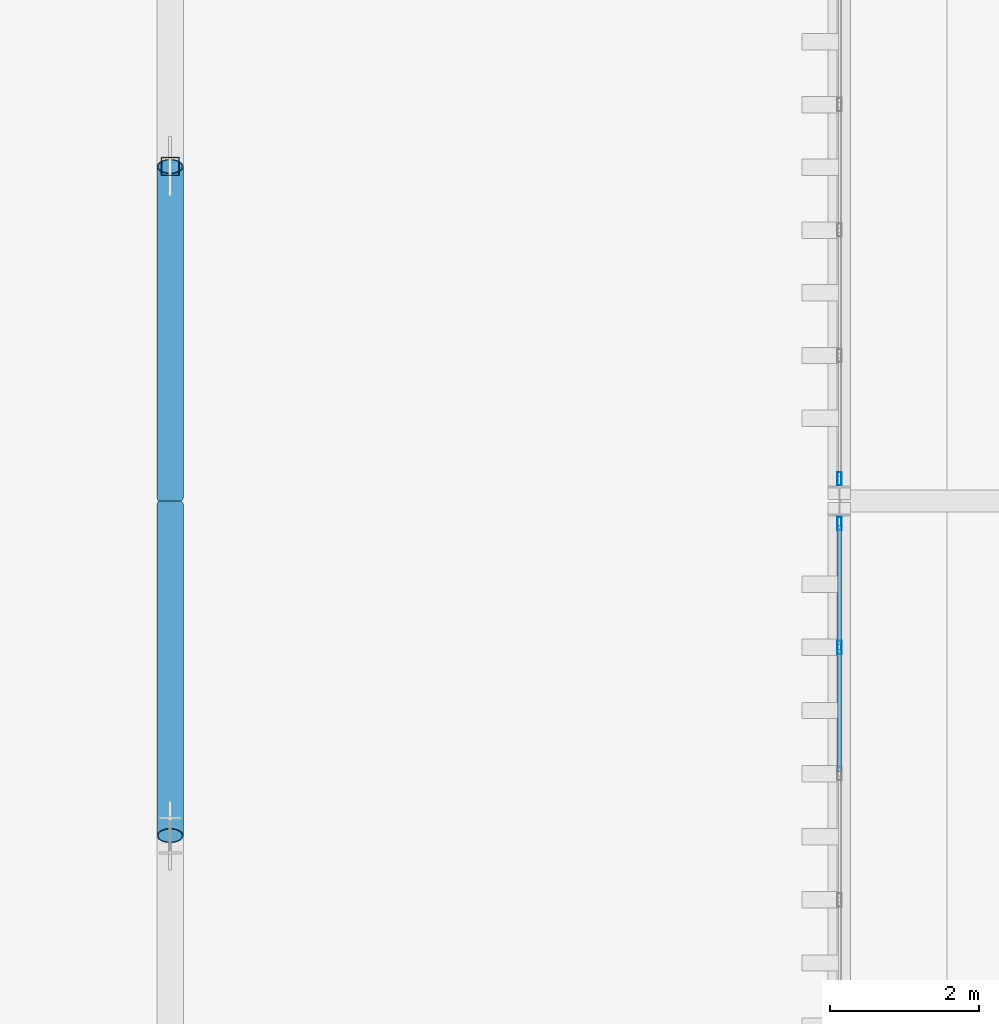
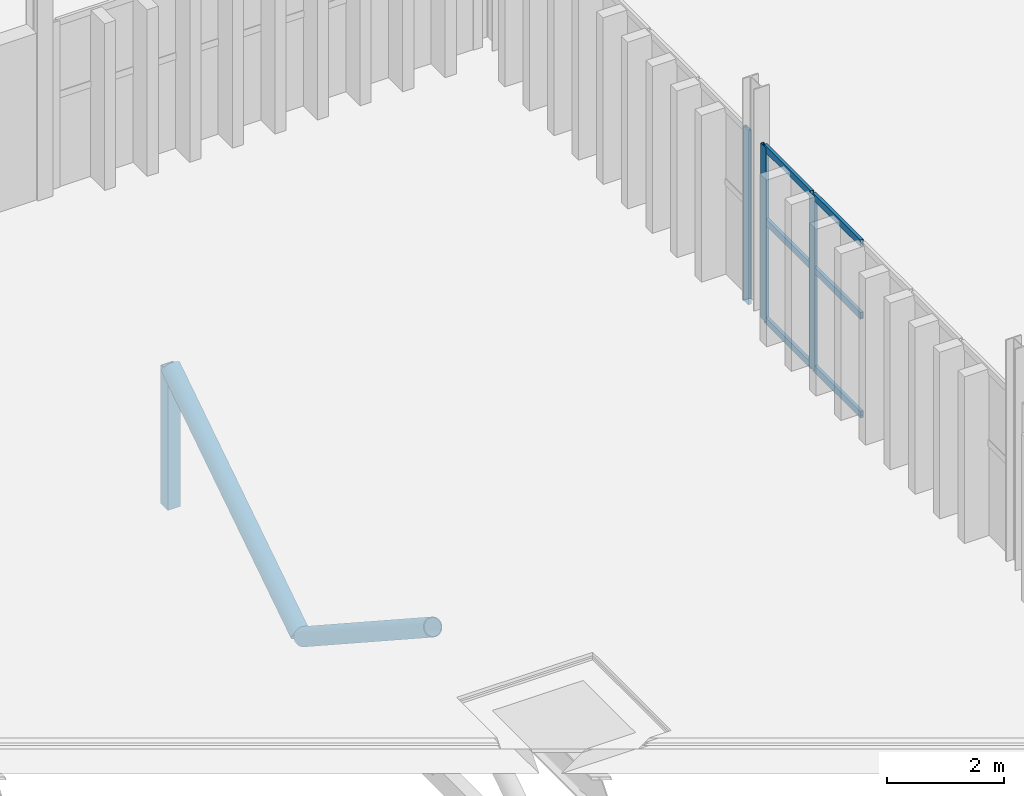
# One storey, part 110 of 196: 12 members, 2 elements without a shape of their own.
"""IFC4 building model written with IfcOpenShell, lengths in metres."""

from ifc_helpers import new_model, si_unit, direction, frame, origin, origin_2d, place, context, subcontext, project, spatial, hollow_rectangle, hollow_circle, extrude, material, layer, layer_set, material_profile, profile_set, type_object, element, aggregate, save


model = new_model("IFC4")

# Units and contexts
model_context = context("Model", 3, precision=1e-05, world=origin(), true_north=direction((0.0, 1.0)))
body_context = subcontext(model_context, "Body", "Model", "MODEL_VIEW")
ifc_project = project(units=[si_unit("LENGTHUNIT", "METRE"), si_unit("AREAUNIT", "SQUARE_METRE"), si_unit("VOLUMEUNIT", "CUBIC_METRE"), si_unit("PLANEANGLEUNIT", "RADIAN"), si_unit("MASSUNIT", "GRAM", prefix="KILO")], contexts=[model_context])

# Site, building, storey
site_placement = place(None, origin())
site = spatial("IfcSite", under=ifc_project, at=site_placement, CompositionType="ELEMENT")
building_placement = place(site_placement, origin())
building = spatial("IfcBuilding", under=site, at=building_placement, Name="Barlavento Convention Centre", CompositionType="ELEMENT")
storey_placement = place(building_placement, frame((0.0, 0.0, 18.0)))
storey = spatial("IfcBuildingStorey", under=building, at=storey_placement, Name="L03", CompositionType="ELEMENT", Elevation=18.0)

# Curtain wall, members
ifc_material_1 = material(Name="Powder-coated aluminium and Low-E glass", Category="aluminium")
ifc_layer = layer(ifc_material_1, 0.179931640625)
ifc_layer_set = layer_set([ifc_layer], Name="ARC-CW-CONF-L03")
curtain_wall_type = type_object("IfcCurtainWallType", Name="ARC-CW-CONF-L03", PredefinedType="NOTDEFINED", material=ifc_layer_set)
curtain_wall_1_placement = place(storey_placement, origin())
curtain_wall_1 = element("IfcCurtainWall", 1, at=curtain_wall_1_placement, inside=storey, type_object=curtain_wall_type, Name="L03 unitised curtain wall CW08", PredefinedType="NOTDEFINED")
ifc_material_2 = material(Name="Powder-coated aluminium", Category="aluminium")
ifc_material_profile_1 = material_profile(ifc_material_2, hollow_rectangle(XDim=0.06005859375, YDim=0.179931640625, WallThickness=0.0048828125, at=origin_2d()), Name="AL-MULL 60x180x5")
ifc_profile_set_1 = profile_set([ifc_material_profile_1], Name="Powder-coated aluminium")
member_type_1 = type_object("IfcMemberType", Name="ARC-CWM-60X180", PredefinedType="MULLION", material=ifc_profile_set_1)
member_1_placement = place(storey_placement, frame((171.0, 25.031982421875, 0.0), z_axis=(0.0, 0.0, 1.0), x_axis=(-1.0, 0.0, 0.0)))
member_1 = element("IfcMember", 2, at=member_1_placement, type_object=member_type_1, Name="CW08 mullion 5", PredefinedType="MULLION", context=body_context, shape_type="SweptSolid", body=[
    extrude(hollow_rectangle(XDim=0.06005859375, YDim=0.179931640625, WallThickness=0.0048828125, at=origin_2d()), origin(), (0.0, 0.0, 1.0), 3.64990234375),
])
member_2_placement = place(storey_placement, frame((171.0, 26.699951171875, 0.0), z_axis=(0.0, 0.0, 1.0), x_axis=(-1.0, 0.0, 0.0)))
member_2 = element("IfcMember", 3, at=member_2_placement, type_object=member_type_1, Name="CW08 mullion 6", PredefinedType="MULLION", context=body_context, shape_type="SweptSolid", body=[
    extrude(hollow_rectangle(XDim=0.06005859375, YDim=0.179931640625, WallThickness=0.0048828125, at=origin_2d()), origin(), (0.0, 0.0, 1.0), 3.64990234375),
])

# Curtain wall, member
curtain_wall_2_placement = place(storey_placement, origin())
curtain_wall_2 = element("IfcCurtainWall", 4, at=curtain_wall_2_placement, inside=storey, type_object=curtain_wall_type, Name="L03 unitised curtain wall CW08", PredefinedType="NOTDEFINED")
member_3_placement = place(storey_placement, frame((171.0, 27.300048828125, 0.0), z_axis=(0.0, 0.0, 1.0), x_axis=(-1.0, 0.0, 0.0)))
member_3 = element("IfcMember", 5, at=member_3_placement, type_object=member_type_1, Name="CW08 mullion 1", PredefinedType="MULLION", context=body_context, shape_type="SweptSolid", body=[
    extrude(hollow_rectangle(XDim=0.06005859375, YDim=0.179931640625, WallThickness=0.0048828125, at=origin_2d()), origin(), (0.0, 0.0, 1.0), 3.64990234375),
])
aggregate(curtain_wall_2, [member_3])

# Member
ifc_material_profile_2 = material_profile(ifc_material_2, hollow_rectangle(XDim=0.06005859375, YDim=0.139892578125, WallThickness=0.00390625, at=origin_2d()), Name="AL-TRAN 60x140x4")
ifc_profile_set_2 = profile_set([ifc_material_profile_2], Name="Powder-coated aluminium")
member_type_2 = type_object("IfcMemberType", Name="ARC-CWT-60X140", PredefinedType="USERDEFINED", material=ifc_profile_set_2)
member_4_placement = place(storey_placement, frame((171.0, 23.364013671875, 0.030029296875), z_axis=(0.0, 1.0, 0.0), x_axis=(-1.0, 0.0, 0.0)))
member_4 = element("IfcMember", 6, at=member_4_placement, type_object=member_type_2, Name="CW08 transom 4.1", ObjectType="TRANSOM", PredefinedType="USERDEFINED", context=body_context, shape_type="SweptSolid", body=[
    extrude(hollow_rectangle(XDim=0.06005859375, YDim=0.139892578125, WallThickness=0.00390625, at=origin_2d()), origin(), (0.0, 0.0, 1.0), 1.637939453125),
])

member_5_placement = place(storey_placement, frame((171.0, 23.364013671875, 2.10009765625), z_axis=(0.0, 1.0, 0.0), x_axis=(-1.0, 0.0, 0.0)))
member_5 = element("IfcMember", 7, at=member_5_placement, type_object=member_type_2, Name="CW08 transom 4.2", ObjectType="TRANSOM", PredefinedType="USERDEFINED", context=body_context, shape_type="SweptSolid", body=[
    extrude(hollow_rectangle(XDim=0.06005859375, YDim=0.139892578125, WallThickness=0.00390625, at=origin_2d()), origin(), (0.0, 0.0, 1.0), 1.637939453125),
])

member_6_placement = place(storey_placement, frame((171.0, 23.364013671875, 3.6201171875), z_axis=(0.0, 1.0, 0.0), x_axis=(-1.0, 0.0, 0.0)))
member_6 = element("IfcMember", 8, at=member_6_placement, type_object=member_type_2, Name="CW08 transom 4.3", ObjectType="TRANSOM", PredefinedType="USERDEFINED", context=body_context, shape_type="SweptSolid", body=[
    extrude(hollow_rectangle(XDim=0.06005859375, YDim=0.139892578125, WallThickness=0.00390625, at=origin_2d()), origin(), (0.0, 0.0, 1.0), 1.637939453125),
])

member_7_placement = place(storey_placement, frame((171.0, 25.06201171875, 0.030029296875), z_axis=(0.0, 1.0, 0.0), x_axis=(-1.0, 0.0, 0.0)))
member_7 = element("IfcMember", 9, at=member_7_placement, type_object=member_type_2, Name="CW08 transom 5.1", ObjectType="TRANSOM", PredefinedType="USERDEFINED", context=body_context, shape_type="SweptSolid", body=[
    extrude(hollow_rectangle(XDim=0.06005859375, YDim=0.139892578125, WallThickness=0.00390625, at=origin_2d()), origin(), (0.0, 0.0, 1.0), 1.60791015625),
])

member_8_placement = place(storey_placement, frame((171.0, 25.06201171875, 2.10009765625), z_axis=(0.0, 1.0, 0.0), x_axis=(-1.0, 0.0, 0.0)))
member_8 = element("IfcMember", 10, at=member_8_placement, type_object=member_type_2, Name="CW08 transom 5.2", ObjectType="TRANSOM", PredefinedType="USERDEFINED", context=body_context, shape_type="SweptSolid", body=[
    extrude(hollow_rectangle(XDim=0.06005859375, YDim=0.139892578125, WallThickness=0.00390625, at=origin_2d()), origin(), (0.0, 0.0, 1.0), 1.60791015625),
])

member_9_placement = place(storey_placement, frame((171.0, 25.06201171875, 3.6201171875), z_axis=(0.0, 1.0, 0.0), x_axis=(-1.0, 0.0, 0.0)))
member_9 = element("IfcMember", 11, at=member_9_placement, type_object=member_type_2, Name="CW08 transom 5.3", ObjectType="TRANSOM", PredefinedType="USERDEFINED", context=body_context, shape_type="SweptSolid", body=[
    extrude(hollow_rectangle(XDim=0.06005859375, YDim=0.139892578125, WallThickness=0.00390625, at=origin_2d()), origin(), (0.0, 0.0, 1.0), 1.60791015625),
])

aggregate(curtain_wall_1, [member_1, member_2, member_4, member_5, member_6, member_7, member_8, member_9])

# Members
ifc_material_3 = material(Name="Steel S355", Category="steel")
ifc_material_profile_3 = material_profile(ifc_material_3, hollow_circle(Radius=0.177734375, WallThickness=0.01611328125, at=origin_2d()), Name="CHS 355.6x16.0")
ifc_profile_set_3 = profile_set([ifc_material_profile_3], Name="Steel S355")
member_type_3 = type_object("IfcMemberType", Name="STR-MEM-CHD-CHS355", PredefinedType="CHORD", material=ifc_profile_set_3)
for number, where, z_axis, x_axis, name in (
    (12, (162.0, 22.5, -0.748046875), (0.0, 0.837635280433, -0.5462299305), (-1.0, 0.0, 0.0), "Ballroom transfer truss diagonal TC01"),
    (13, (162.0, 27.050048828125, -3.64990234375), (0.0, 0.837635280433, 0.5462299305), (-1.0, 0.0, 0.0), "Ballroom transfer truss diagonal TC01"),
):
    element("IfcMember", number, at=place(storey_placement, frame(where, z_axis=z_axis, x_axis=x_axis)), inside=storey, type_object=member_type_3, Name=name, PredefinedType="CHORD", context=body_context, shape_type="SweptSolid", body=[
        extrude(hollow_circle(Radius=0.177734375, WallThickness=0.01611328125, at=origin_2d()), origin(), (0.0, 0.0, 1.0), 5.3125),
    ])
ifc_material_profile_4 = material_profile(ifc_material_3, hollow_rectangle(XDim=0.25, YDim=0.25, WallThickness=0.012451171875, at=origin_2d()), Name="SHS 250x250x12.5")
ifc_profile_set_4 = profile_set([ifc_material_profile_4], Name="Steel S355")
member_type_4 = type_object("IfcMemberType", Name="STR-MEM-STRUT-SHS250", PredefinedType="STRUT", material=ifc_profile_set_4)
member_10_placement = place(storey_placement, frame((162.0, 31.5, -3.64990234375), z_axis=(0.0, 0.0, 1.0), x_axis=(1.0, 0.0, 0.0)))
element("IfcMember", 14, at=member_10_placement, inside=storey, type_object=member_type_4, Name="Ballroom transfer truss vertical post", PredefinedType="STRUT", context=body_context, shape_type="SweptSolid", body=[
    extrude(hollow_rectangle(XDim=0.25, YDim=0.25, WallThickness=0.012451171875, at=origin_2d()), origin(), (0.0, 0.0, 1.0), 2.90185546875),
])

save(model, "model.ifc")
